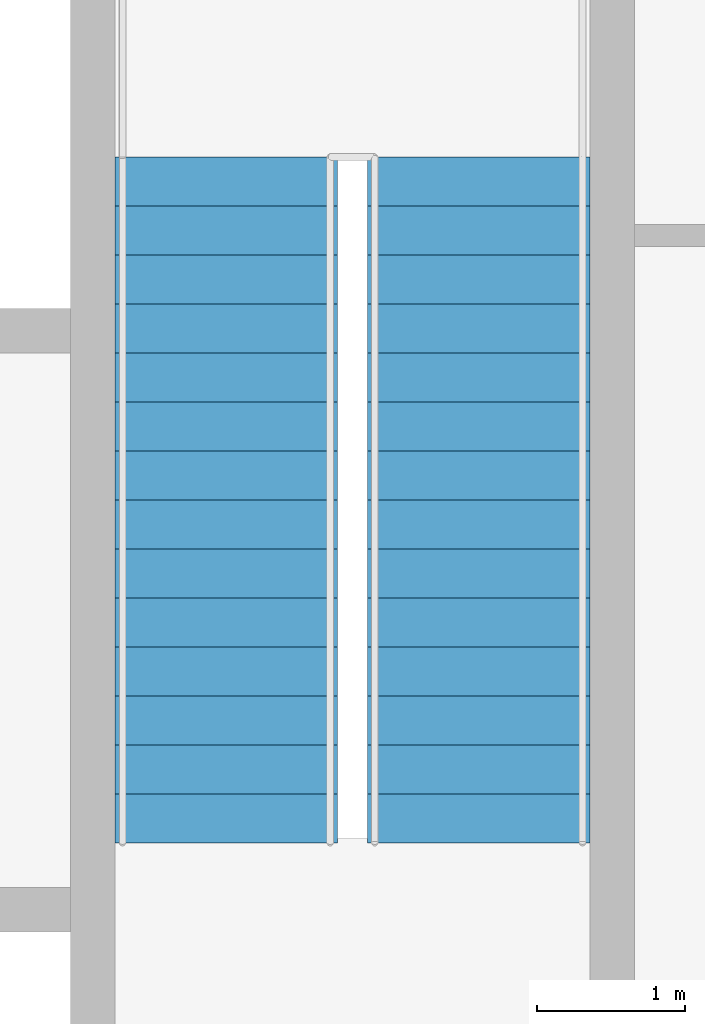
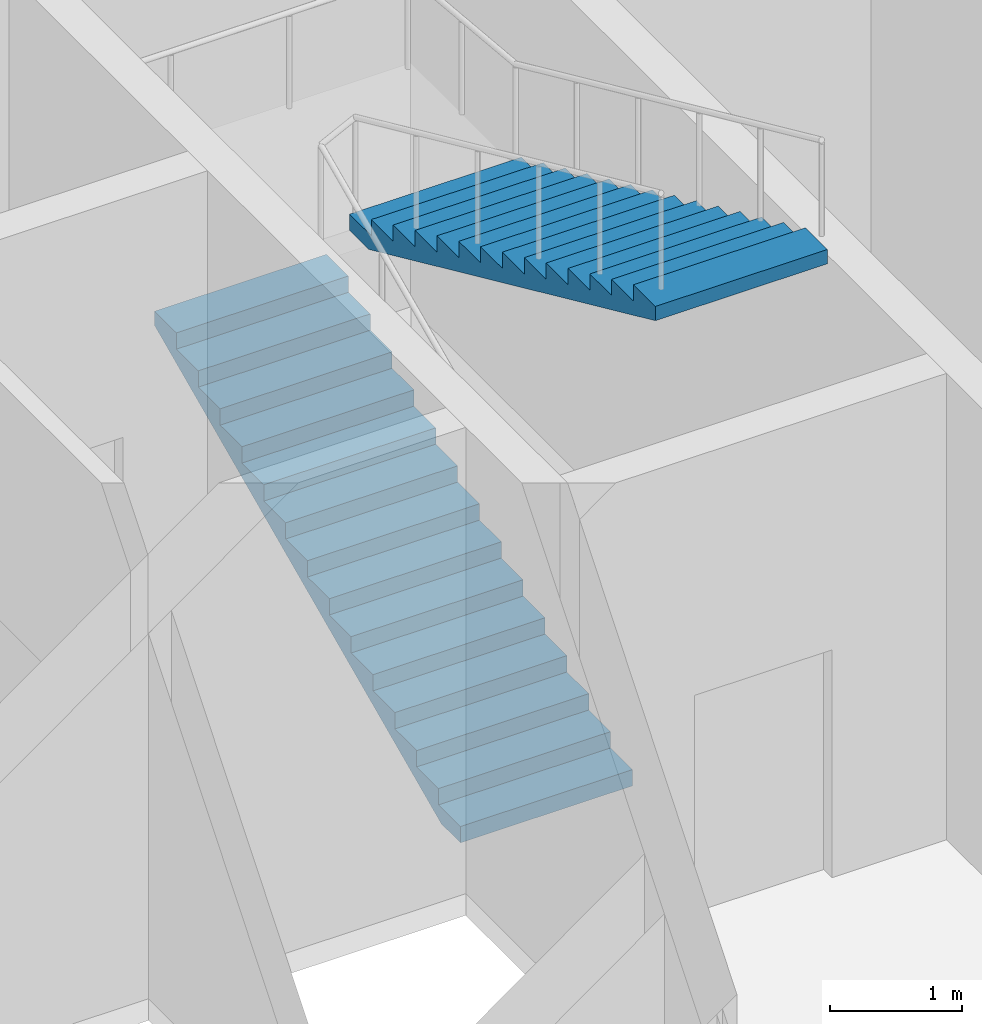
# One storey, part 9 of 10: 2 stair flights, 1 element without a shape of its own.
"""IFC4 building model written with IfcOpenShell, lengths in metres."""

from ifc_helpers import new_model, si_unit, direction, frame, origin, place, context, subcontext, project, spatial, polygons, material, type_object, element, aggregate, save


model = new_model("IFC4")

# Units and contexts
model_context = context("Model", 3, precision=1e-05, world=origin(), true_north=direction((0.0, 1.0)))
body_context = subcontext(model_context, "Body", "Model", "MODEL_VIEW")
ifc_project = project(units=[si_unit("LENGTHUNIT", "METRE"), si_unit("AREAUNIT", "SQUARE_METRE"), si_unit("VOLUMEUNIT", "CUBIC_METRE"), si_unit("PLANEANGLEUNIT", "RADIAN"), si_unit("MASSUNIT", "GRAM", prefix="KILO")], contexts=[model_context])

# Site, building, storey
site_placement = place(None, origin())
site = spatial("IfcSite", under=ifc_project, at=site_placement, CompositionType="ELEMENT")
building_placement = place(site_placement, origin())
building = spatial("IfcBuilding", under=site, at=building_placement, Name="Njiva Tower", CompositionType="ELEMENT")
storey_placement = place(building_placement, frame((0.0, 0.0, 55.8)))
storey = spatial("IfcBuildingStorey", under=building, at=storey_placement, Name="L11", CompositionType="ELEMENT", Elevation=55.8)

# Stair, stair flights
ifc_material = material(Name="Concrete C40/50", Category="concrete")
stair_type = type_object("IfcStairType", Name="ST4 Exit stair 1500", PredefinedType="HALF_TURN_STAIR", material=ifc_material)
stair_placement = place(storey_placement, origin())
stair = element("IfcStair", 1, at=stair_placement, inside=storey, type_object=stair_type, Name="Stair B", PredefinedType="HALF_TURN_STAIR")
stair_flight_type = type_object("IfcStairFlightType", Name="FL4 Stair flight 1500", PredefinedType="STRAIGHT", material=ifc_material)
stair_flight_1_placement = place(storey_placement, frame((11.75, 11.1, 0.0), z_axis=(0.0, 0.0, 1.0), x_axis=(0.0, 1.0, 0.0)))
stair_flight_1 = element("IfcStairFlight", 2, at=stair_flight_1_placement, type_object=stair_flight_type, Name="ST-B flight 1", NumberOfRisers=15, NumberOfTreads=14, PredefinedType="STRAIGHT", RiserHeight=0.15, TreadLength=0.33, context=body_context, shape_type="Tessellation", body=[
    polygons([(0.0, 0.75, 0.0), (0.0, 0.375, 0.0), (0.0, 0.0, 0.0), (0.0, -0.375, 0.0), (0.0, -0.75, 0.0), (0.0, 0.75, 0.15), (0.0, 0.375, 0.15), (0.0, 0.0, 0.15), (0.0, -0.375, 0.15), (0.0, -0.75, 0.15), (0.33, 0.75, 0.15), (0.33, 0.375, 0.15), (0.33, 0.0, 0.15), (0.33, -0.375, 0.15), (0.33, -0.75, 0.15), (0.33, 0.75, 0.3), (0.33, 0.375, 0.3), (0.33, 0.0, 0.3), (0.33, -0.375, 0.3), (0.33, -0.75, 0.3), (0.66, 0.75, 0.3), (0.66, 0.375, 0.3), (0.66, 0.0, 0.3), (0.66, -0.375, 0.3), (0.66, -0.75, 0.3), (0.66, 0.75, 0.45), (0.66, 0.375, 0.45), (0.66, 0.0, 0.45), (0.66, -0.375, 0.45), (0.66, -0.75, 0.45), (0.99, 0.75, 0.45), (0.99, 0.375, 0.45), (0.99, 0.0, 0.45), (0.99, -0.375, 0.45), (0.99, -0.75, 0.45), (0.99, 0.75, 0.6), (0.99, 0.375, 0.6), (0.99, 0.0, 0.6), (0.99, -0.375, 0.6), (0.99, -0.75, 0.6), (1.32, 0.75, 0.6), (1.32, 0.375, 0.6), (1.32, 0.0, 0.6), (1.32, -0.375, 0.6), (1.32, -0.75, 0.6), (1.32, 0.75, 0.75), (1.32, 0.375, 0.75), (1.32, 0.0, 0.75), (1.32, -0.375, 0.75), (1.32, -0.75, 0.75), (1.65, 0.75, 0.75), (1.65, 0.375, 0.75), (1.65, 0.0, 0.75), (1.65, -0.375, 0.75), (1.65, -0.75, 0.75), (1.65, 0.75, 0.9), (1.65, 0.375, 0.9), (1.65, 0.0, 0.9), (1.65, -0.375, 0.9), (1.65, -0.75, 0.9), (1.98, 0.75, 0.9), (1.98, 0.375, 0.9), (1.98, 0.0, 0.9), (1.98, -0.375, 0.9), (1.98, -0.75, 0.9), (1.98, 0.75, 1.05), (1.98, 0.375, 1.05), (1.98, 0.0, 1.05), (1.98, -0.375, 1.05), (1.98, -0.75, 1.05), (2.31, 0.75, 1.05), (2.31, 0.375, 1.05), (2.31, 0.0, 1.05), (2.31, -0.375, 1.05), (2.31, -0.75, 1.05), (2.31, 0.75, 1.2), (2.31, 0.375, 1.2), (2.31, 0.0, 1.2), (2.31, -0.375, 1.2), (2.31, -0.75, 1.2), (2.64, 0.75, 1.2), (2.64, 0.375, 1.2), (2.64, 0.0, 1.2), (2.64, -0.375, 1.2), (2.64, -0.75, 1.2), (2.64, 0.75, 1.35), (2.64, 0.375, 1.35), (2.64, 0.0, 1.35), (2.64, -0.375, 1.35), (2.64, -0.75, 1.35), (2.97, 0.75, 1.35), (2.97, 0.375, 1.35), (2.97, 0.0, 1.35), (2.97, -0.375, 1.35), (2.97, -0.75, 1.35), (2.97, 0.75, 1.5), (2.97, 0.375, 1.5), (2.97, 0.0, 1.5), (2.97, -0.375, 1.5), (2.97, -0.75, 1.5), (3.3, 0.75, 1.5), (3.3, 0.375, 1.5), (3.3, 0.0, 1.5), (3.3, -0.375, 1.5), (3.3, -0.75, 1.5), (3.3, 0.75, 1.65), (3.3, 0.375, 1.65), (3.3, 0.0, 1.65), (3.3, -0.375, 1.65), (3.3, -0.75, 1.65), (3.63, 0.75, 1.65), (3.63, 0.375, 1.65), (3.63, 0.0, 1.65), (3.63, -0.375, 1.65), (3.63, -0.75, 1.65), (3.63, 0.75, 1.8), (3.63, 0.375, 1.8), (3.63, 0.0, 1.8), (3.63, -0.375, 1.8), (3.63, -0.75, 1.8), (3.96, 0.75, 1.8), (3.96, 0.375, 1.8), (3.96, 0.0, 1.8), (3.96, -0.375, 1.8), (3.96, -0.75, 1.8), (3.96, 0.75, 1.95), (3.96, 0.375, 1.95), (3.96, 0.0, 1.95), (3.96, -0.375, 1.95), (3.96, -0.75, 1.95), (4.29, 0.75, 1.95), (4.29, 0.375, 1.95), (4.29, 0.0, 1.95), (4.29, -0.375, 1.95), (4.29, -0.75, 1.95), (4.29, 0.75, 2.1), (4.29, 0.375, 2.1), (4.29, 0.0, 2.1), (4.29, -0.375, 2.1), (4.29, -0.75, 2.1), (4.62, 0.75, 2.1), (4.62, 0.375, 2.1), (4.62, 0.0, 2.1), (4.62, -0.375, 2.1), (4.62, -0.75, 2.1), (4.62, 0.75, 1.9682), (4.62, 0.375, 1.9682), (4.62, 0.0, 1.9682), (4.62, -0.375, 1.9682), (4.62, -0.75, 1.9682), (0.29, 0.75, 0.0), (0.29, 0.375, 0.0), (0.29, 0.0, 0.0), (0.29, -0.375, 0.0), (0.29, -0.75, 0.0)], [[[1, 6, 11, 16, 21, 26, 31, 36, 41, 46, 51, 56, 61, 66, 71, 76, 81, 86, 91, 96, 101, 106, 111, 116, 121, 126, 131, 136, 141, 146, 151]], [[155, 150, 145, 140, 135, 130, 125, 120, 115, 110, 105, 100, 95, 90, 85, 80, 75, 70, 65, 60, 55, 50, 45, 40, 35, 30, 25, 20, 15, 10, 5]], [[6, 1, 2, 7]], [[7, 2, 3, 8]], [[8, 3, 4, 9]], [[9, 4, 5, 10]], [[11, 6, 7, 12]], [[12, 7, 8, 13]], [[13, 8, 9, 14]], [[14, 9, 10, 15]], [[16, 11, 12, 17]], [[17, 12, 13, 18]], [[18, 13, 14, 19]], [[19, 14, 15, 20]], [[21, 16, 17, 22]], [[22, 17, 18, 23]], [[23, 18, 19, 24]], [[24, 19, 20, 25]], [[26, 21, 22, 27]], [[27, 22, 23, 28]], [[28, 23, 24, 29]], [[29, 24, 25, 30]], [[31, 26, 27, 32]], [[32, 27, 28, 33]], [[33, 28, 29, 34]], [[34, 29, 30, 35]], [[36, 31, 32, 37]], [[37, 32, 33, 38]], [[38, 33, 34, 39]], [[39, 34, 35, 40]], [[41, 36, 37, 42]], [[42, 37, 38, 43]], [[43, 38, 39, 44]], [[44, 39, 40, 45]], [[46, 41, 42, 47]], [[47, 42, 43, 48]], [[48, 43, 44, 49]], [[49, 44, 45, 50]], [[51, 46, 47, 52]], [[52, 47, 48, 53]], [[53, 48, 49, 54]], [[54, 49, 50, 55]], [[56, 51, 52, 57]], [[57, 52, 53, 58]], [[58, 53, 54, 59]], [[59, 54, 55, 60]], [[61, 56, 57, 62]], [[62, 57, 58, 63]], [[63, 58, 59, 64]], [[64, 59, 60, 65]], [[66, 61, 62, 67]], [[67, 62, 63, 68]], [[68, 63, 64, 69]], [[69, 64, 65, 70]], [[71, 66, 67, 72]], [[72, 67, 68, 73]], [[73, 68, 69, 74]], [[74, 69, 70, 75]], [[76, 71, 72, 77]], [[77, 72, 73, 78]], [[78, 73, 74, 79]], [[79, 74, 75, 80]], [[81, 76, 77, 82]], [[82, 77, 78, 83]], [[83, 78, 79, 84]], [[84, 79, 80, 85]], [[86, 81, 82, 87]], [[87, 82, 83, 88]], [[88, 83, 84, 89]], [[89, 84, 85, 90]], [[91, 86, 87, 92]], [[92, 87, 88, 93]], [[93, 88, 89, 94]], [[94, 89, 90, 95]], [[96, 91, 92, 97]], [[97, 92, 93, 98]], [[98, 93, 94, 99]], [[99, 94, 95, 100]], [[101, 96, 97, 102]], [[102, 97, 98, 103]], [[103, 98, 99, 104]], [[104, 99, 100, 105]], [[106, 101, 102, 107]], [[107, 102, 103, 108]], [[108, 103, 104, 109]], [[109, 104, 105, 110]], [[111, 106, 107, 112]], [[112, 107, 108, 113]], [[113, 108, 109, 114]], [[114, 109, 110, 115]], [[116, 111, 112, 117]], [[117, 112, 113, 118]], [[118, 113, 114, 119]], [[119, 114, 115, 120]], [[121, 116, 117, 122]], [[122, 117, 118, 123]], [[123, 118, 119, 124]], [[124, 119, 120, 125]], [[126, 121, 122, 127]], [[127, 122, 123, 128]], [[128, 123, 124, 129]], [[129, 124, 125, 130]], [[131, 126, 127, 132]], [[132, 127, 128, 133]], [[133, 128, 129, 134]], [[134, 129, 130, 135]], [[136, 131, 132, 137]], [[137, 132, 133, 138]], [[138, 133, 134, 139]], [[139, 134, 135, 140]], [[141, 136, 137, 142]], [[142, 137, 138, 143]], [[143, 138, 139, 144]], [[144, 139, 140, 145]], [[146, 141, 142, 147]], [[147, 142, 143, 148]], [[148, 143, 144, 149]], [[149, 144, 145, 150]], [[151, 146, 147, 152]], [[152, 147, 148, 153]], [[153, 148, 149, 154]], [[154, 149, 150, 155]], [[1, 151, 152, 2]], [[2, 152, 153, 3]], [[3, 153, 154, 4]], [[4, 154, 155, 5]]], closed=True),
])
stair_flight_2_placement = place(storey_placement, frame((13.45, 15.72, 2.25), z_axis=(0.0, 0.0, 1.0), x_axis=(0.0, -1.0, 0.0)))
stair_flight_2 = element("IfcStairFlight", 3, at=stair_flight_2_placement, type_object=stair_flight_type, Name="ST-B flight 2", NumberOfRisers=15, NumberOfTreads=14, PredefinedType="STRAIGHT", RiserHeight=0.15, TreadLength=0.33, context=body_context, shape_type="Tessellation", body=[
    polygons([(0.0, 0.75, 0.0), (0.0, 0.375, 0.0), (0.0, 0.0, 0.0), (0.0, -0.375, 0.0), (0.0, -0.75, 0.0), (0.0, 0.75, 0.15), (0.0, 0.375, 0.15), (0.0, 0.0, 0.15), (0.0, -0.375, 0.15), (0.0, -0.75, 0.15), (0.33, 0.75, 0.15), (0.33, 0.375, 0.15), (0.33, 0.0, 0.15), (0.33, -0.375, 0.15), (0.33, -0.75, 0.15), (0.33, 0.75, 0.3), (0.33, 0.375, 0.3), (0.33, 0.0, 0.3), (0.33, -0.375, 0.3), (0.33, -0.75, 0.3), (0.66, 0.75, 0.3), (0.66, 0.375, 0.3), (0.66, 0.0, 0.3), (0.66, -0.375, 0.3), (0.66, -0.75, 0.3), (0.66, 0.75, 0.45), (0.66, 0.375, 0.45), (0.66, 0.0, 0.45), (0.66, -0.375, 0.45), (0.66, -0.75, 0.45), (0.99, 0.75, 0.45), (0.99, 0.375, 0.45), (0.99, 0.0, 0.45), (0.99, -0.375, 0.45), (0.99, -0.75, 0.45), (0.99, 0.75, 0.6), (0.99, 0.375, 0.6), (0.99, 0.0, 0.6), (0.99, -0.375, 0.6), (0.99, -0.75, 0.6), (1.32, 0.75, 0.6), (1.32, 0.375, 0.6), (1.32, 0.0, 0.6), (1.32, -0.375, 0.6), (1.32, -0.75, 0.6), (1.32, 0.75, 0.75), (1.32, 0.375, 0.75), (1.32, 0.0, 0.75), (1.32, -0.375, 0.75), (1.32, -0.75, 0.75), (1.65, 0.75, 0.75), (1.65, 0.375, 0.75), (1.65, 0.0, 0.75), (1.65, -0.375, 0.75), (1.65, -0.75, 0.75), (1.65, 0.75, 0.9), (1.65, 0.375, 0.9), (1.65, 0.0, 0.9), (1.65, -0.375, 0.9), (1.65, -0.75, 0.9), (1.98, 0.75, 0.9), (1.98, 0.375, 0.9), (1.98, 0.0, 0.9), (1.98, -0.375, 0.9), (1.98, -0.75, 0.9), (1.98, 0.75, 1.05), (1.98, 0.375, 1.05), (1.98, 0.0, 1.05), (1.98, -0.375, 1.05), (1.98, -0.75, 1.05), (2.31, 0.75, 1.05), (2.31, 0.375, 1.05), (2.31, 0.0, 1.05), (2.31, -0.375, 1.05), (2.31, -0.75, 1.05), (2.31, 0.75, 1.2), (2.31, 0.375, 1.2), (2.31, 0.0, 1.2), (2.31, -0.375, 1.2), (2.31, -0.75, 1.2), (2.64, 0.75, 1.2), (2.64, 0.375, 1.2), (2.64, 0.0, 1.2), (2.64, -0.375, 1.2), (2.64, -0.75, 1.2), (2.64, 0.75, 1.35), (2.64, 0.375, 1.35), (2.64, 0.0, 1.35), (2.64, -0.375, 1.35), (2.64, -0.75, 1.35), (2.97, 0.75, 1.35), (2.97, 0.375, 1.35), (2.97, 0.0, 1.35), (2.97, -0.375, 1.35), (2.97, -0.75, 1.35), (2.97, 0.75, 1.5), (2.97, 0.375, 1.5), (2.97, 0.0, 1.5), (2.97, -0.375, 1.5), (2.97, -0.75, 1.5), (3.3, 0.75, 1.5), (3.3, 0.375, 1.5), (3.3, 0.0, 1.5), (3.3, -0.375, 1.5), (3.3, -0.75, 1.5), (3.3, 0.75, 1.65), (3.3, 0.375, 1.65), (3.3, 0.0, 1.65), (3.3, -0.375, 1.65), (3.3, -0.75, 1.65), (3.63, 0.75, 1.65), (3.63, 0.375, 1.65), (3.63, 0.0, 1.65), (3.63, -0.375, 1.65), (3.63, -0.75, 1.65), (3.63, 0.75, 1.8), (3.63, 0.375, 1.8), (3.63, 0.0, 1.8), (3.63, -0.375, 1.8), (3.63, -0.75, 1.8), (3.96, 0.75, 1.8), (3.96, 0.375, 1.8), (3.96, 0.0, 1.8), (3.96, -0.375, 1.8), (3.96, -0.75, 1.8), (3.96, 0.75, 1.95), (3.96, 0.375, 1.95), (3.96, 0.0, 1.95), (3.96, -0.375, 1.95), (3.96, -0.75, 1.95), (4.29, 0.75, 1.95), (4.29, 0.375, 1.95), (4.29, 0.0, 1.95), (4.29, -0.375, 1.95), (4.29, -0.75, 1.95), (4.29, 0.75, 2.1), (4.29, 0.375, 2.1), (4.29, 0.0, 2.1), (4.29, -0.375, 2.1), (4.29, -0.75, 2.1), (4.62, 0.75, 2.1), (4.62, 0.375, 2.1), (4.62, 0.0, 2.1), (4.62, -0.375, 2.1), (4.62, -0.75, 2.1), (4.62, 0.75, 1.9682), (4.62, 0.375, 1.9682), (4.62, 0.0, 1.9682), (4.62, -0.375, 1.9682), (4.62, -0.75, 1.9682), (0.29, 0.75, 0.0), (0.29, 0.375, 0.0), (0.29, 0.0, 0.0), (0.29, -0.375, 0.0), (0.29, -0.75, 0.0)], [[[1, 6, 11, 16, 21, 26, 31, 36, 41, 46, 51, 56, 61, 66, 71, 76, 81, 86, 91, 96, 101, 106, 111, 116, 121, 126, 131, 136, 141, 146, 151]], [[155, 150, 145, 140, 135, 130, 125, 120, 115, 110, 105, 100, 95, 90, 85, 80, 75, 70, 65, 60, 55, 50, 45, 40, 35, 30, 25, 20, 15, 10, 5]], [[6, 1, 2, 7]], [[7, 2, 3, 8]], [[8, 3, 4, 9]], [[9, 4, 5, 10]], [[11, 6, 7, 12]], [[12, 7, 8, 13]], [[13, 8, 9, 14]], [[14, 9, 10, 15]], [[16, 11, 12, 17]], [[17, 12, 13, 18]], [[18, 13, 14, 19]], [[19, 14, 15, 20]], [[21, 16, 17, 22]], [[22, 17, 18, 23]], [[23, 18, 19, 24]], [[24, 19, 20, 25]], [[26, 21, 22, 27]], [[27, 22, 23, 28]], [[28, 23, 24, 29]], [[29, 24, 25, 30]], [[31, 26, 27, 32]], [[32, 27, 28, 33]], [[33, 28, 29, 34]], [[34, 29, 30, 35]], [[36, 31, 32, 37]], [[37, 32, 33, 38]], [[38, 33, 34, 39]], [[39, 34, 35, 40]], [[41, 36, 37, 42]], [[42, 37, 38, 43]], [[43, 38, 39, 44]], [[44, 39, 40, 45]], [[46, 41, 42, 47]], [[47, 42, 43, 48]], [[48, 43, 44, 49]], [[49, 44, 45, 50]], [[51, 46, 47, 52]], [[52, 47, 48, 53]], [[53, 48, 49, 54]], [[54, 49, 50, 55]], [[56, 51, 52, 57]], [[57, 52, 53, 58]], [[58, 53, 54, 59]], [[59, 54, 55, 60]], [[61, 56, 57, 62]], [[62, 57, 58, 63]], [[63, 58, 59, 64]], [[64, 59, 60, 65]], [[66, 61, 62, 67]], [[67, 62, 63, 68]], [[68, 63, 64, 69]], [[69, 64, 65, 70]], [[71, 66, 67, 72]], [[72, 67, 68, 73]], [[73, 68, 69, 74]], [[74, 69, 70, 75]], [[76, 71, 72, 77]], [[77, 72, 73, 78]], [[78, 73, 74, 79]], [[79, 74, 75, 80]], [[81, 76, 77, 82]], [[82, 77, 78, 83]], [[83, 78, 79, 84]], [[84, 79, 80, 85]], [[86, 81, 82, 87]], [[87, 82, 83, 88]], [[88, 83, 84, 89]], [[89, 84, 85, 90]], [[91, 86, 87, 92]], [[92, 87, 88, 93]], [[93, 88, 89, 94]], [[94, 89, 90, 95]], [[96, 91, 92, 97]], [[97, 92, 93, 98]], [[98, 93, 94, 99]], [[99, 94, 95, 100]], [[101, 96, 97, 102]], [[102, 97, 98, 103]], [[103, 98, 99, 104]], [[104, 99, 100, 105]], [[106, 101, 102, 107]], [[107, 102, 103, 108]], [[108, 103, 104, 109]], [[109, 104, 105, 110]], [[111, 106, 107, 112]], [[112, 107, 108, 113]], [[113, 108, 109, 114]], [[114, 109, 110, 115]], [[116, 111, 112, 117]], [[117, 112, 113, 118]], [[118, 113, 114, 119]], [[119, 114, 115, 120]], [[121, 116, 117, 122]], [[122, 117, 118, 123]], [[123, 118, 119, 124]], [[124, 119, 120, 125]], [[126, 121, 122, 127]], [[127, 122, 123, 128]], [[128, 123, 124, 129]], [[129, 124, 125, 130]], [[131, 126, 127, 132]], [[132, 127, 128, 133]], [[133, 128, 129, 134]], [[134, 129, 130, 135]], [[136, 131, 132, 137]], [[137, 132, 133, 138]], [[138, 133, 134, 139]], [[139, 134, 135, 140]], [[141, 136, 137, 142]], [[142, 137, 138, 143]], [[143, 138, 139, 144]], [[144, 139, 140, 145]], [[146, 141, 142, 147]], [[147, 142, 143, 148]], [[148, 143, 144, 149]], [[149, 144, 145, 150]], [[151, 146, 147, 152]], [[152, 147, 148, 153]], [[153, 148, 149, 154]], [[154, 149, 150, 155]], [[1, 151, 152, 2]], [[2, 152, 153, 3]], [[3, 153, 154, 4]], [[4, 154, 155, 5]]], closed=True),
])
aggregate(stair, [stair_flight_1, stair_flight_2])

save(model, "model.ifc")
